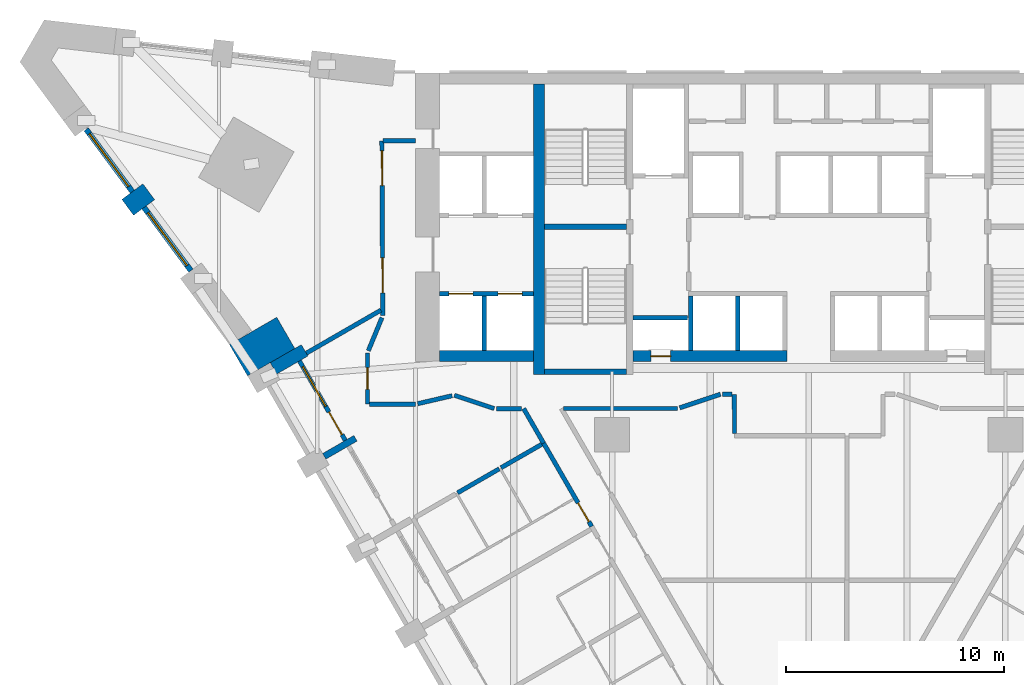
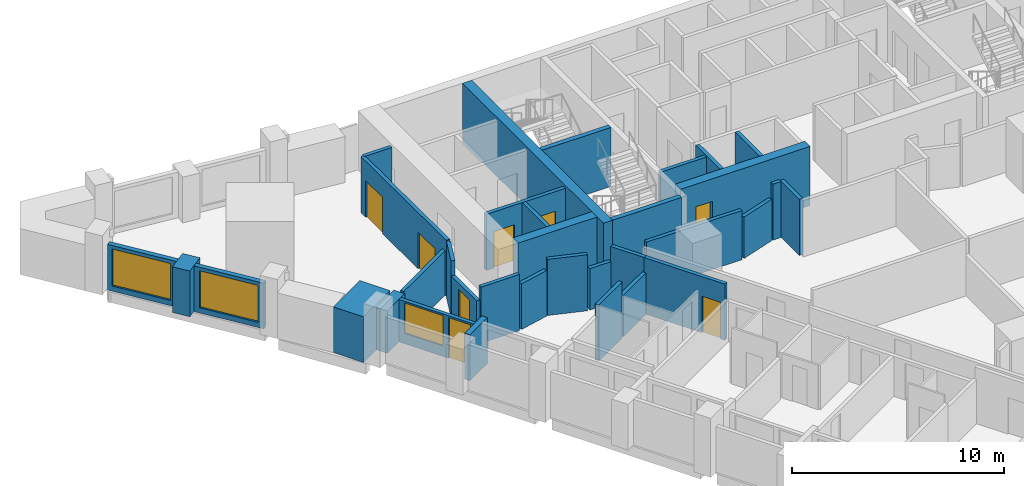
# One storey, part 6 of 11: 34 walls, 8 doors, 3 windows, 11 openings.
"""IFC4 building model written with IfcOpenShell, lengths in metres."""

from ifc_helpers import new_model, si_unit, direction, frame, frame_2d, origin, place, context, subcontext, project, spatial, polyline, rectangle, outline, extrude, material, layer, layer_set, type_object, element, fill, save


model = new_model("IFC4")

# Units and contexts
model_context = context("Model", 3, precision=1e-05, world=origin(), true_north=direction((0.0, 1.0)))
body_context = subcontext(model_context, "Body", "Model", "MODEL_VIEW")
ifc_project = project(units=[si_unit("LENGTHUNIT", "METRE"), si_unit("AREAUNIT", "SQUARE_METRE"), si_unit("VOLUMEUNIT", "CUBIC_METRE"), si_unit("PLANEANGLEUNIT", "RADIAN"), si_unit("MASSUNIT", "GRAM", prefix="KILO")], contexts=[model_context])

# Site, building, storey
site_placement = place(None, origin())
site = spatial("IfcSite", under=ifc_project, at=site_placement, CompositionType="ELEMENT")
building_placement = place(site_placement, origin())
building = spatial("IfcBuilding", under=site, at=building_placement, Name="Calabash Gate Tower", CompositionType="ELEMENT")
storey_placement = place(building_placement, frame((0.0, 0.0, 52.800048828125)))
storey = spatial("IfcBuildingStorey", under=building, at=storey_placement, Name="L08", CompositionType="ELEMENT", Elevation=52.800048828125)

# Walls
ifc_material_1 = material(Name="Terracotta brick masonry, exposed face", Category="masonry")
ifc_layer_1 = layer(ifc_material_1, 2.5)
ifc_layer_set_1 = layer_set([ifc_layer_1], Name="Brick corner mass wall 2500")
wall_type_1 = type_object("IfcWallType", Name="Brick corner mass wall 2500", PredefinedType="SOLIDWALL", material=ifc_layer_set_1)
wall_1_placement = place(storey_placement, origin())
element("IfcWall", 1, at=wall_1_placement, inside=storey, type_object=wall_type_1, Name="Brick corner pier S01 1", PredefinedType="SOLIDWALL", context=body_context, shape_type="SweptSolid", body=[
    extrude(outline(polyline([(-25.694580078125, 5.19970703125), (-24.6552734375, 5.7998046875), (-24.6552734375, 5.79931640625), (-23.529541015625, 6.44921875), (-24.3544921875, 7.878173828125), (-26.51953125, 6.628173828125), (-25.694580078125, 5.19921875), (-25.6943359375, 5.199462890625), (-25.694580078125, 5.19970703125)])), origin(), (0.0, 0.0, 1.0), 2.6298828125),
])
ifc_material_2 = material(Name="Terracotta brick masonry, exposed face", Category="masonry")
ifc_layer_2 = layer(ifc_material_2, 1.199951171875)
ifc_layer_set_2 = layer_set([ifc_layer_2], Name="Brick end wall 1200")
wall_type_2 = type_object("IfcWallType", Name="Brick end wall 1200", PredefinedType="SOLIDWALL", material=ifc_layer_set_2)
wall_2_placement = place(storey_placement, frame((-31.178466796875, 12.91015625, 0.0), z_axis=(0.0, 0.0, 1.0), x_axis=(0.803549985832, 0.595237280644, 0.0)))
element("IfcWall", 2, at=wall_2_placement, inside=storey, type_object=wall_type_2, Name="Brick pier S01 wedge7.1", PredefinedType="SOLIDWALL", context=body_context, shape_type="SweptSolid", body=[
    extrude(rectangle(XDim=1.2001953125, YDim=0.89990234375, at=frame_2d((0.60009765625, 0.0))), origin(), (0.0, 0.0, 1.0), 2.6298828125),
])
ifc_material_3 = material(Name="Terracotta brick masonry, exposed face", Category="masonry")
ifc_layer_3 = layer(ifc_material_3, 0.300048828125)
ifc_layer_set_3 = layer_set([ifc_layer_3], Name="Brick loggia cheek wall 300")
wall_type_3 = type_object("IfcWallType", Name="Brick loggia cheek wall 300", PredefinedType="SOLIDWALL", material=ifc_layer_set_3)
wall_3_placement = place(storey_placement, frame((-24.505126953125, 5.53955078125, 0.0), z_axis=(0.0, 0.0, 1.0), x_axis=(0.866003217194, 0.500038426333, 0.0)))
element("IfcWall", 3, at=wall_3_placement, inside=storey, type_object=wall_type_3, Name="Loggia cheek S01 SW0.0", PredefinedType="SOLIDWALL", context=body_context, shape_type="SweptSolid", body=[
    extrude(rectangle(XDim=1.649658203125, YDim=0.60009765625, at=frame_2d((0.82470703125, 0.0))), origin(), (0.0, 0.0, 1.0), 2.449951171875),
])
wall_4_placement = place(storey_placement, frame((-22.180419921875, 1.512451171875, 0.0), z_axis=(0.0, 0.0, 1.0), x_axis=(0.866040211805, 0.499974350878, 0.0)))
element("IfcWall", 4, at=wall_4_placement, inside=storey, type_object=wall_type_3, Name="Loggia cheek S01 SW0.1", PredefinedType="SOLIDWALL", context=body_context, shape_type="SweptSolid", body=[
    extrude(rectangle(XDim=1.64990234375, YDim=0.300048828125, at=frame_2d((0.824951171875, 0.0))), origin(), (0.0, 0.0, 1.0), 2.64990234375),
])
ifc_material_4 = material(Name="Concrete C80/95", Category="concrete")
ifc_layer_4 = layer(ifc_material_4, 0.25)
ifc_layer_set_4 = layer_set([ifc_layer_4], Name="Core wall 250 Concrete C80/95")
wall_type_4 = type_object("IfcWallType", Name="Core wall 250 Concrete C80/95", PredefinedType="SHEAR", material=ifc_layer_set_4)
for number, where, z_axis, x_axis, name in (
    (5, (-12.10009765625, 12.027587890625, 0.0), (0.0, 0.0, 1.0), (1.0, 0.0, 0.0), "Core wall Z1-MIDW L08"),
    (6, (-12.10009765625, 5.377685546875, 0.0), (0.0, 0.0, 1.0), (1.0, 0.0, 0.0), "Core wall Z1-SSW L08"),
):
    element("IfcWall", number, at=place(storey_placement, frame(where, z_axis=z_axis, x_axis=x_axis)), inside=storey, type_object=wall_type_4, Name=name, PredefinedType="SHEAR", context=body_context, shape_type="SweptSolid", body=[
        extrude(rectangle(XDim=3.75, YDim=0.25, at=frame_2d((1.875, 0.0))), origin(), (0.0, 0.0, 1.0), 3.39990234375),
    ])
ifc_material_5 = material(Name="Concrete C80/95", Category="concrete")
ifc_layer_5 = layer(ifc_material_5, 0.5)
ifc_layer_set_5 = layer_set([ifc_layer_5], Name="Core wall 500 Concrete C80/95")
wall_type_5 = type_object("IfcWallType", Name="Core wall 500 Concrete C80/95", PredefinedType="SHEAR", material=ifc_layer_set_5)
wall_5_placement = place(storey_placement, frame((-12.35009765625, 5.252685546875, 0.0), z_axis=(0.0, 0.0, 1.0), x_axis=(0.0, 1.0, 0.0)))
element("IfcWall", 7, at=wall_5_placement, inside=storey, type_object=wall_type_5, Name="Core wall Z1-COLW L08", PredefinedType="SHEAR", context=body_context, shape_type="SweptSolid", body=[
    extrude(rectangle(XDim=13.2998046875, YDim=0.5, at=frame_2d((6.64990234375, 0.0))), origin(), (0.0, 0.0, 1.0), 3.39990234375),
])

# Wall, opening, door
wall_6_placement = place(storey_placement, frame((-8.050048828125, 6.1025390625, 0.0), z_axis=(0.0, 0.0, 1.0), x_axis=(1.0, 0.0, 0.0)))
wall_6 = element("IfcWall", 8, at=wall_6_placement, inside=storey, type_object=wall_type_5, Name="Core wall Z1-SA L08", PredefinedType="SHEAR", context=body_context, shape_type="SweptSolid", body=[
    extrude(rectangle(XDim=7.050048828125, YDim=0.5, at=frame_2d((3.52490234375, 0.0))), origin(), (0.0, 0.0, 1.0), 3.39990234375),
])
opening_1_placement = place(wall_6_placement, frame((0.824951171875, 0.0, 0.0)))
opening_1 = element("IfcOpeningElement", 9, at=opening_1_placement, cuts=wall_6, Name="Opening H1-013", PredefinedType="OPENING", context=body_context, shape_type="SweptSolid", body=[
    extrude(rectangle(XDim=0.89990234375, YDim=2.10009765625, at=frame_2d((0.449951171875, 1.050048828125))), frame((0.0, 0.260009765625, 0.0), z_axis=(0.0, -1.0, 0.0), x_axis=(1.0, 0.0, 0.0)), (0.0, 0.0, 1.0), 0.52001953125),
])
ifc_material_6 = material(Name="Steel fire door set with fire-resisting glazing", Category="steel")
door_type_1 = type_object("IfcDoorType", Name="Fire door D07 900x2100 FD90", OperationType="NOTDEFINED", PredefinedType="DOOR", material=ifc_material_6)
door_1_placement = place(opening_1_placement, origin())
door_1 = element("IfcDoor", 10, at=door_1_placement, inside=storey, type_object=door_type_1, Name="Electrical Riser W door", OperationType="SINGLE_SWING_LEFT", OverallHeight=2.10009765625, OverallWidth=0.89990234375, PredefinedType="DOOR", context=body_context, shape_type="SweptSolid", body=[
    extrude(rectangle(XDim=0.89990234375, YDim=2.10009765625, at=frame_2d((0.449951171875, 1.050048828125))), frame((0.0, 0.02490234375, 0.0), z_axis=(0.0, -1.0, 0.0), x_axis=(1.0, 0.0, 0.0)), (0.0, 0.0, 1.0), 0.050048828125),
])
fill(opening_1, door_1)

# Wall
wall_7_placement = place(storey_placement, frame((-12.60009765625, 6.1025390625, 0.0), z_axis=(0.0, 0.0, 1.0), x_axis=(-1.0, 0.0, 0.0)))
element("IfcWall", 11, at=wall_7_placement, inside=storey, type_object=wall_type_5, Name="Core wall Z1-SW L08", PredefinedType="SHEAR", context=body_context, shape_type="SweptSolid", body=[
    extrude(rectangle(XDim=4.2998046875, YDim=0.5, at=frame_2d((2.14990234375, 0.0))), origin(), (0.0, 0.0, 1.0), 3.39990234375),
])

# Wall, opening, door
ifc_material_7 = material(Name="Gypsum board on steel studs, mineral wool", Category="steel")
ifc_layer_6 = layer(ifc_material_7, 0.199951171875)
ifc_layer_set_6 = layer_set([ifc_layer_6], Name="Partition 200 gypsum board EI 60")
wall_type_6 = type_object("IfcWallType", Name="Partition 200 gypsum board EI 60", PredefinedType="PARTITIONING", material=ifc_layer_set_6)
wall_8_placement = place(storey_placement, frame((-12.13720703125, 2.113037109375, 0.0), z_axis=(0.0, 0.0, 1.0), x_axis=(0.500025132165, -0.866010893236, 0.0)))
wall_8 = element("IfcWall", 12, at=wall_8_placement, inside=storey, type_object=wall_type_6, Name="Partition", PredefinedType="PARTITIONING", context=body_context, shape_type="SweptSolid", body=[
    extrude(rectangle(XDim=4.398681640625, YDim=0.199951171875, at=frame_2d((2.19921875, 0.0))), origin(), (0.0, 0.0, 1.0), 3.22998046875),
])
opening_2_placement = place(wall_8_placement, frame((3.150390625, 0.0, 0.0)))
opening_2 = element("IfcOpeningElement", 13, at=opening_2_placement, cuts=wall_8, Name="Opening 06-08-020", PredefinedType="OPENING", context=body_context, shape_type="SweptSolid", body=[
    extrude(rectangle(XDim=1.0, YDim=2.10009765625, at=frame_2d((0.5, 1.050048828125))), frame((0.0, 0.10986328125, 0.0), z_axis=(0.0, -1.0, 0.0), x_axis=(1.0, 0.0, 0.0)), (0.0, 0.0, 1.0), 0.219970703125),
])
ifc_material_8 = material(Name="Steel fire door set with fire-resisting glazing", Category="steel")
door_type_2 = type_object("IfcDoorType", Name="WD3 WC lobby door 1000x2100", OperationType="NOTDEFINED", PredefinedType="DOOR", material=ifc_material_8)
door_2_placement = place(opening_2_placement, origin())
door_2 = element("IfcDoor", 14, at=door_2_placement, inside=storey, type_object=door_type_2, Name="WC lobby door", OperationType="SINGLE_SWING_LEFT", OverallHeight=2.10009765625, OverallWidth=1.0, PredefinedType="DOOR", context=body_context, shape_type="SweptSolid", body=[
    extrude(rectangle(XDim=1.0, YDim=2.10009765625, at=frame_2d((0.5, 1.050048828125))), frame((0.0, 0.02490234375, 0.0), z_axis=(0.0, -1.0, 0.0), x_axis=(1.0, 0.0, 0.0)), (0.0, 0.0, 1.0), 0.050048828125),
])
fill(opening_2, door_2)

# Walls
wall_9_placement = place(storey_placement, frame((-16.07666015625, -0.159423828125, 0.0), z_axis=(0.0, 0.0, 1.0), x_axis=(0.866399851823, 0.499350875398, 0.0)))
element("IfcWall", 15, at=wall_9_placement, inside=storey, type_object=wall_type_6, Name="Partition", PredefinedType="PARTITIONING", context=body_context, shape_type="SweptSolid", body=[
    extrude(rectangle(XDim=2.19970703125, YDim=0.199951171875, at=frame_2d((1.099853515625, 0.0))), origin(), (0.0, 0.0, 1.0), 3.22998046875),
])
wall_10_placement = place(storey_placement, frame((-14.084716796875, 0.990478515625, 0.0), z_axis=(0.0, 0.0, 1.0), x_axis=(0.866397457795, 0.499355029139, 0.0)))
element("IfcWall", 16, at=wall_10_placement, inside=storey, type_object=wall_type_6, Name="Partition", PredefinedType="PARTITIONING", context=body_context, shape_type="SweptSolid", body=[
    extrude(rectangle(XDim=2.147705078125, YDim=0.199951171875, at=frame_2d((1.07373046875, 0.0))), origin(), (0.0, 0.0, 1.0), 2.384033203125),
])
wall_11_placement = place(storey_placement, frame((-3.402099609375, 4.3505859375, 0.0), z_axis=(0.0, 0.0, 1.0), x_axis=(0.001086217961, -0.999999410065, 0.0)))
element("IfcWall", 17, at=wall_11_placement, inside=storey, type_object=wall_type_6, Name="Partition", PredefinedType="PARTITIONING", context=body_context, shape_type="SweptSolid", body=[
    extrude(rectangle(XDim=1.798095703125, YDim=0.199951171875, at=frame_2d((0.89892578125, 0.0))), origin(), (0.0, 0.0, 1.0), 3.22998046875),
])
wall_12_placement = place(storey_placement, frame((-14.300048828125, 3.699462890625, 0.0), z_axis=(0.0, 0.0, 1.0), x_axis=(1.0, 0.0, 0.0)))
element("IfcWall", 18, at=wall_12_placement, inside=storey, type_object=wall_type_6, Name="Partition", PredefinedType="PARTITIONING", context=body_context, shape_type="SweptSolid", body=[
    extrude(rectangle(XDim=1.148681640625, YDim=0.199951171875, at=frame_2d((0.57421875, 0.0))), origin(), (0.0, 0.0, 1.0), 2.384033203125),
])
wall_13_placement = place(storey_placement, frame((-13.051513671875, 3.699462890625, 0.0), z_axis=(0.0, 0.0, 1.0), x_axis=(0.499341081767, -0.866405496324, 0.0)))
element("IfcWall", 19, at=wall_13_placement, inside=storey, type_object=wall_type_6, Name="Partition", PredefinedType="PARTITIONING", context=body_context, shape_type="SweptSolid", body=[
    extrude(rectangle(XDim=1.8291015625, YDim=0.199951171875, at=frame_2d((0.91455078125, 0.0))), origin(), (0.0, 0.0, 1.0), 3.22998046875),
])
wall_14_placement = place(storey_placement, frame((-11.21875, 3.69970703125, 0.0), z_axis=(0.0, 0.0, 1.0), x_axis=(1.0, 0.0, 0.0)))
element("IfcWall", 20, at=wall_14_placement, inside=storey, type_object=wall_type_6, Name="Partition", PredefinedType="PARTITIONING", context=body_context, shape_type="SweptSolid", body=[
    extrude(rectangle(XDim=5.21875, YDim=0.199951171875, at=frame_2d((2.609375, 0.0))), origin(), (0.0, 0.0, 1.0), 2.83154296875),
])
wall_15_placement = place(storey_placement, frame((-20.10009765625, 3.899658203125, 0.0), z_axis=(0.0, 0.0, 1.0), x_axis=(0.999999993243, -0.000116252034, 0.0)))
element("IfcWall", 21, at=wall_15_placement, inside=storey, type_object=wall_type_6, Name="Partition", PredefinedType="PARTITIONING", context=body_context, shape_type="SweptSolid", body=[
    extrude(rectangle(XDim=2.10009765625, YDim=0.199951171875, at=frame_2d((1.050048828125, 0.0))), origin(), (0.0, 0.0, 1.0), 3.22998046875),
])
wall_16_placement = place(storey_placement, frame((-17.902587890625, 3.922119140625, 0.0), z_axis=(0.0, 0.0, 1.0), x_axis=(0.974302124523, 0.225245133464, 0.0)))
element("IfcWall", 22, at=wall_16_placement, inside=storey, type_object=wall_type_6, Name="Partition", PredefinedType="PARTITIONING", context=body_context, shape_type="SweptSolid", body=[
    extrude(rectangle(XDim=1.6181640625, YDim=0.199951171875, at=frame_2d((0.80908203125, 0.0))), origin(), (0.0, 0.0, 1.0), 2.6279296875),
])
wall_17_placement = place(storey_placement, frame((-16.228515625, 4.30908203125, 0.0), z_axis=(0.0, 0.0, 1.0), x_axis=(0.948657960303, -0.316303769112, 0.0)))
element("IfcWall", 23, at=wall_17_placement, inside=storey, type_object=wall_type_6, Name="Partition", PredefinedType="PARTITIONING", context=body_context, shape_type="SweptSolid", body=[
    extrude(rectangle(XDim=1.92724609375, YDim=0.199951171875, at=frame_2d((0.963623046875, 0.0))), origin(), (0.0, 0.0, 1.0), 3.22998046875),
])
wall_18_placement = place(storey_placement, frame((-5.905029296875, 3.7314453125, 0.0), z_axis=(0.0, 0.0, 1.0), x_axis=(0.948695731075, 0.316190464499, 0.0)))
element("IfcWall", 24, at=wall_18_placement, inside=storey, type_object=wall_type_6, Name="Partition", PredefinedType="PARTITIONING", context=body_context, shape_type="SweptSolid", body=[
    extrude(rectangle(XDim=1.963623046875, YDim=0.199951171875, at=frame_2d((0.98193359375, 0.0))), origin(), (0.0, 0.0, 1.0), 2.384033203125),
])
wall_19_placement = place(storey_placement, frame((-3.9423828125, 4.35205078125, 0.0), z_axis=(0.0, 0.0, 1.0), x_axis=(0.999996159087, -0.00277160798, 0.0)))
element("IfcWall", 25, at=wall_19_placement, inside=storey, type_object=wall_type_6, Name="Partition", PredefinedType="PARTITIONING", context=body_context, shape_type="SweptSolid", body=[
    extrude(rectangle(XDim=0.4404296875, YDim=0.199951171875, at=frame_2d((0.22021484375, 0.0))), origin(), (0.0, 0.0, 1.0), 3.22998046875),
])
wall_20_placement = place(storey_placement, frame((-23.001220703125, 6.234375, 0.0), z_axis=(0.0, 0.0, 1.0), x_axis=(0.866230957978, 0.499643800562, 0.0)))
element("IfcWall", 26, at=wall_20_placement, inside=storey, type_object=wall_type_6, Name="Partition", PredefinedType="PARTITIONING", context=body_context, shape_type="SweptSolid", body=[
    extrude(rectangle(XDim=3.94140625, YDim=0.199951171875, at=frame_2d((1.970703125, 0.0))), origin(), (0.0, 0.0, 1.0), 2.5517578125),
])

# Wall, opening, door
wall_21_placement = place(storey_placement, frame((-20.200439453125, 6.252685546875, 0.0), z_axis=(0.0, 0.0, 1.0), x_axis=(0.000103755965, -0.999999994617, 0.0)))
wall_21 = element("IfcWall", 27, at=wall_21_placement, inside=storey, type_object=wall_type_6, Name="Partition", PredefinedType="PARTITIONING", context=body_context, shape_type="SweptSolid", body=[
    extrude(rectangle(XDim=2.35302734375, YDim=0.199951171875, at=frame_2d((1.176513671875, 0.0))), origin(), (0.0, 0.0, 1.0), 2.449951171875),
])
opening_3_placement = place(wall_21_placement, frame((0.67626953125, 0.0, 0.0)))
opening_3 = element("IfcOpeningElement", 28, at=opening_3_placement, cuts=wall_21, Name="Opening 06-08-026", PredefinedType="OPENING", context=body_context, shape_type="SweptSolid", body=[
    extrude(rectangle(XDim=1.0, YDim=2.10009765625, at=frame_2d((0.5, 1.050048828125))), frame((0.0, 0.10986328125, 0.0), z_axis=(0.0, -1.0, 0.0), x_axis=(1.0, 0.0, 0.0)), (0.0, 0.0, 1.0), 0.219970703125),
])
ifc_material_9 = material(Name="Steel fire door set with fire-resisting glazing", Category="steel")
door_type_3 = type_object("IfcDoorType", Name="LD2 Meeting room door 1000x2100", OperationType="NOTDEFINED", PredefinedType="DOOR", material=ifc_material_9)
door_3_placement = place(opening_3_placement, origin())
door_3 = element("IfcDoor", 29, at=door_3_placement, inside=storey, type_object=door_type_3, Name="Meeting room door", OperationType="SINGLE_SWING_LEFT", OverallHeight=2.10009765625, OverallWidth=1.0, PredefinedType="DOOR", context=body_context, shape_type="SweptSolid", body=[
    extrude(rectangle(XDim=1.0, YDim=2.10009765625, at=frame_2d((0.5, 1.050048828125))), frame((0.0, 0.02490234375, 0.0), z_axis=(0.0, -1.0, 0.0), x_axis=(1.0, 0.0, 0.0)), (0.0, 0.0, 1.0), 0.050048828125),
])
fill(opening_3, door_3)

# Wall
wall_22_placement = place(storey_placement, frame((-20.162353515625, 6.34521484375, 0.0), z_axis=(0.0, 0.0, 1.0), x_axis=(0.380749805254, 0.924678098475, 0.0)))
element("IfcWall", 30, at=wall_22_placement, inside=storey, type_object=wall_type_6, Name="Partition", PredefinedType="PARTITIONING", context=body_context, shape_type="SweptSolid", body=[
    extrude(rectangle(XDim=1.63818359375, YDim=0.199951171875, at=frame_2d((0.819091796875, 0.0))), origin(), (0.0, 0.0, 1.0), 3.22998046875),
])

# Wall, openings, doors
wall_23_placement = place(storey_placement, frame((-19.540283203125, 15.952392578125, 0.0), z_axis=(0.0, 0.0, 1.0), x_axis=(0.004974455496, -0.99998762732, 0.0)))
wall_23 = element("IfcWall", 31, at=wall_23_placement, inside=storey, type_object=wall_type_6, Name="Partition", PredefinedType="PARTITIONING", context=body_context, shape_type="SweptSolid", body=[
    extrude(rectangle(XDim=7.999755859375, YDim=0.199951171875, at=frame_2d((4.0, 0.0))), origin(), (0.0, 0.0, 1.0), 3.22998046875),
])
opening_4_placement = place(wall_23_placement, frame((5.359130859375, 0.0, 0.0)))
opening_4 = element("IfcOpeningElement", 32, at=opening_4_placement, cuts=wall_23, Name="Opening 06-08-024", PredefinedType="OPENING", context=body_context, shape_type="SweptSolid", body=[
    extrude(rectangle(XDim=1.60009765625, YDim=2.10009765625, at=frame_2d((0.800048828125, 1.050048828125))), frame((0.0, 0.10986328125, 0.0), z_axis=(0.0, -1.0, 0.0), x_axis=(1.0, 0.0, 0.0)), (0.0, 0.0, 1.0), 0.219970703125),
])
opening_5_placement = place(wall_23_placement, frame((0.4501953125, 0.0, 0.0)))
opening_5 = element("IfcOpeningElement", 33, at=opening_5_placement, cuts=wall_23, Name="Opening 06-08-025", PredefinedType="OPENING", context=body_context, shape_type="SweptSolid", body=[
    extrude(rectangle(XDim=1.60009765625, YDim=2.10009765625, at=frame_2d((0.800048828125, 1.050048828125))), frame((0.0, 0.10986328125, 0.0), z_axis=(0.0, -1.0, 0.0), x_axis=(1.0, 0.0, 0.0)), (0.0, 0.0, 1.0), 0.219970703125),
])
ifc_material_10 = material(Name="Steel fire door set with fire-resisting glazing", Category="steel")
door_type_4 = type_object("IfcDoorType", Name="LD1 Lounge double door 1600x2100", OperationType="NOTDEFINED", PredefinedType="DOOR", material=ifc_material_10)
door_4_placement = place(opening_4_placement, origin())
door_4 = element("IfcDoor", 34, at=door_4_placement, inside=storey, type_object=door_type_4, Name="Lounge double door", OperationType="DOUBLE_DOOR_SINGLE_SWING", OverallHeight=2.10009765625, OverallWidth=1.60009765625, PredefinedType="DOOR", context=body_context, shape_type="SweptSolid", body=[
    extrude(rectangle(XDim=1.60009765625, YDim=2.10009765625, at=frame_2d((0.800048828125, 1.050048828125))), frame((0.0, 0.02490234375, 0.0), z_axis=(0.0, -1.0, 0.0), x_axis=(1.0, 0.0, 0.0)), (0.0, 0.0, 1.0), 0.050048828125),
])
fill(opening_4, door_4)
door_5_placement = place(opening_5_placement, origin())
door_5 = element("IfcDoor", 35, at=door_5_placement, inside=storey, type_object=door_type_4, Name="Lounge double door", OperationType="DOUBLE_DOOR_SINGLE_SWING", OverallHeight=2.10009765625, OverallWidth=1.60009765625, PredefinedType="DOOR", context=body_context, shape_type="SweptSolid", body=[
    extrude(rectangle(XDim=1.60009765625, YDim=2.10009765625, at=frame_2d((0.800048828125, 1.050048828125))), frame((0.0, 0.02490234375, 0.0), z_axis=(0.0, -1.0, 0.0), x_axis=(1.0, 0.0, 0.0)), (0.0, 0.0, 1.0), 0.050048828125),
])
fill(opening_5, door_5)

# Wall
wall_24_placement = place(storey_placement, frame((-19.50048828125, 15.95263671875, 0.0), z_axis=(0.0, 0.0, 1.0), x_axis=(0.999999152842, 0.001301658513, 0.0)))
element("IfcWall", 36, at=wall_24_placement, inside=storey, type_object=wall_type_6, Name="Partition", PredefinedType="PARTITIONING", context=body_context, shape_type="SweptSolid", body=[
    extrude(rectangle(XDim=1.50048828125, YDim=0.199951171875, at=frame_2d((0.750244140625, 0.0))), origin(), (0.0, 0.0, 1.0), 3.22998046875),
])

# Wall, opening, window
ifc_material_11 = material(Name="Aluminium framed window wall with insulated spandrel", Category="aluminium")
ifc_layer_7 = layer(ifc_material_11, 0.25)
ifc_layer_set_7 = layer_set([ifc_layer_7], Name="Prow window wall 250")
wall_type_7 = type_object("IfcWallType", Name="Prow window wall 250", PredefinedType="ELEMENTEDWALL", material=ifc_layer_set_7)
wall_25_placement = place(storey_placement, frame((-33.077392578125, 16.481201171875, 0.0), z_axis=(0.0, 0.0, 1.0), x_axis=(0.595304805086, -0.803499962067, 0.0)))
wall_25 = element("IfcWall", 37, at=wall_25_placement, inside=storey, type_object=wall_type_7, Name="Prow window wall S01 wedge7.1", PredefinedType="ELEMENTEDWALL", context=body_context, shape_type="SweptSolid", body=[
    extrude(rectangle(XDim=3.552001953125, YDim=0.25, at=frame_2d((1.77587890625, 0.0))), origin(), (0.0, 0.0, 1.0), 2.6298828125),
])
opening_6_placement = place(wall_25_placement, frame((0.25, 0.0, 0.300048828125)))
opening_6 = element("IfcOpeningElement", 38, at=opening_6_placement, cuts=wall_25, Name="Opening WP1L-2130", PredefinedType="OPENING", context=body_context, shape_type="SweptSolid", body=[
    extrude(rectangle(XDim=3.0, YDim=2.1298828125, at=frame_2d((1.5, 1.06494140625))), frame((0.0, 0.135009765625, 0.0), z_axis=(0.0, -1.0, 0.0), x_axis=(1.0, 0.0, 0.0)), (0.0, 0.0, 1.0), 0.27001953125),
])
ifc_material_12 = material(Name="Anodised aluminium frame, bronze finish, impact-rated laminated clear glazing", Category="aluminium")
window_type_1 = type_object("IfcWindowType", Name="Window WP1L 3000x2130", PartitioningType="DOUBLE_PANEL_VERTICAL", PredefinedType="WINDOW", material=ifc_material_12)
window_1_placement = place(opening_6_placement, origin())
window_1 = element("IfcWindow", 39, at=window_1_placement, inside=storey, type_object=window_type_1, Name="Prow window WP1L S01 wedge7.1", OverallHeight=2.1298828125, OverallWidth=3.0, PartitioningType="SINGLE_PANEL", PredefinedType="WINDOW", context=body_context, shape_type="SweptSolid", body=[
    extrude(rectangle(XDim=3.0, YDim=2.1298828125, at=frame_2d((1.5, 1.06494140625))), frame((0.0, 0.030029296875, 0.0), z_axis=(0.0, -1.0, 0.0), x_axis=(1.0, 0.0, 0.0)), (0.0, 0.0, 1.0), 0.06005859375),
])
fill(opening_6, window_1)

wall_26_placement = place(storey_placement, frame((-30.428466796875, 12.905517578125, 0.0), z_axis=(0.0, 0.0, 1.0), x_axis=(0.595302153335, -0.803501926715, 0.0)))
wall_26 = element("IfcWall", 40, at=wall_26_placement, inside=storey, type_object=wall_type_7, Name="Prow window wall S01 wedge7.2", PredefinedType="ELEMENTEDWALL", context=body_context, shape_type="SweptSolid", body=[
    extrude(rectangle(XDim=3.599853515625, YDim=0.25, at=frame_2d((1.7998046875, 0.0))), origin(), (0.0, 0.0, 1.0), 2.6298828125),
])
opening_7_placement = place(wall_26_placement, frame((0.300048828125, 0.0, 0.300048828125)))
opening_7 = element("IfcOpeningElement", 41, at=opening_7_placement, cuts=wall_26, Name="Opening WP1L-2130", PredefinedType="OPENING", context=body_context, shape_type="SweptSolid", body=[
    extrude(rectangle(XDim=3.0, YDim=2.1298828125, at=frame_2d((1.5, 1.06494140625))), frame((0.0, 0.135009765625, 0.0), z_axis=(0.0, -1.0, 0.0), x_axis=(1.0, 0.0, 0.0)), (0.0, 0.0, 1.0), 0.27001953125),
])
window_2_placement = place(opening_7_placement, origin())
window_2 = element("IfcWindow", 42, at=window_2_placement, inside=storey, type_object=window_type_1, Name="Prow window WP1L S01 wedge7.2", OverallHeight=2.1298828125, OverallWidth=3.0, PartitioningType="SINGLE_PANEL", PredefinedType="WINDOW", context=body_context, shape_type="SweptSolid", body=[
    extrude(rectangle(XDim=3.0, YDim=2.1298828125, at=frame_2d((1.5, 1.06494140625))), frame((0.0, 0.030029296875, 0.0), z_axis=(0.0, -1.0, 0.0), x_axis=(1.0, 0.0, 0.0)), (0.0, 0.0, 1.0), 0.06005859375),
])
fill(opening_7, window_2)

# Walls
ifc_material_13 = material(Name="Concrete C40/50", Category="concrete")
ifc_layer_8 = layer(ifc_material_13, 0.199951171875)
ifc_layer_set_8 = layer_set([ifc_layer_8], Name="Shaft wall 200 Concrete C40/50")
wall_type_8 = type_object("IfcWallType", Name="Shaft wall 200 Concrete C40/50", PredefinedType="SOLIDWALL", material=ifc_layer_set_8)
for number, where, z_axis, x_axis, name in (
    (43, (-14.85009765625, 6.3525390625, 0.0), (0.0, 0.0, 1.0), (0.0, 1.0, 0.0), "Shaft wall"),
    (44, (-5.39990234375, 6.3525390625, 0.0), (0.0, 0.0, 1.0), (0.0, 1.0, 0.0), "Shaft wall"),
    (45, (-3.25, 6.3525390625, 0.0), (0.0, 0.0, 1.0), (0.0, 1.0, 0.0), "Shaft wall"),
    (46, (-8.050048828125, 7.8525390625, 0.0), (0.0, 0.0, 1.0), (1.0, 0.0, 0.0), "Shaft wall"),
):
    element("IfcWall", number, at=place(storey_placement, frame(where, z_axis=z_axis, x_axis=x_axis)), inside=storey, type_object=wall_type_8, Name=name, PredefinedType="SOLIDWALL", context=body_context, shape_type="SweptSolid", body=[
        extrude(rectangle(XDim=2.5, YDim=0.199951171875, at=frame_2d((1.25, 0.0))), origin(), (0.0, 0.0, 1.0), 3.22998046875),
    ])

# Wall, openings, doors
wall_27_placement = place(storey_placement, frame((-16.89990234375, 8.95263671875, 0.0), z_axis=(0.0, 0.0, 1.0), x_axis=(1.0, 0.0, 0.0)))
wall_27 = element("IfcWall", 47, at=wall_27_placement, inside=storey, type_object=wall_type_8, Name="Shaft wall", PredefinedType="SOLIDWALL", context=body_context, shape_type="SweptSolid", body=[
    extrude(rectangle(XDim=4.2998046875, YDim=0.199951171875, at=frame_2d((2.14990234375, 0.0))), origin(), (0.0, 0.0, 1.0), 3.22998046875),
])
opening_8_placement = place(wall_27_placement, frame((2.675048828125, 0.0, 0.0)))
opening_8 = element("IfcOpeningElement", 48, at=opening_8_placement, cuts=wall_27, Name="Opening LD-LR1", PredefinedType="OPENING", context=body_context, shape_type="SweptSolid", body=[
    extrude(rectangle(XDim=1.10009765625, YDim=2.10009765625, at=frame_2d((0.550048828125, 1.050048828125))), frame((0.0, 0.10986328125, 0.0), z_axis=(0.0, -1.0, 0.0), x_axis=(1.0, 0.0, 0.0)), (0.0, 0.0, 1.0), 0.219970703125),
])
opening_9_placement = place(wall_27_placement, frame((0.425048828125, 0.0, 0.0)))
opening_9 = element("IfcOpeningElement", 49, at=opening_9_placement, cuts=wall_27, Name="Opening LD-LR2", PredefinedType="OPENING", context=body_context, shape_type="SweptSolid", body=[
    extrude(rectangle(XDim=1.10009765625, YDim=2.10009765625, at=frame_2d((0.550048828125, 1.050048828125))), frame((0.0, 0.10986328125, 0.0), z_axis=(0.0, -1.0, 0.0), x_axis=(1.0, 0.0, 0.0)), (0.0, 0.0, 1.0), 0.219970703125),
])
ifc_material_14 = material(Name="Stainless steel sliding door leaves", Category="steel")
door_type_5 = type_object("IfcDoorType", Name="Lift landing door LS1 1100x2100 FD90", OperationType="DOUBLE_DOOR_SLIDING", PredefinedType="DOOR", material=ifc_material_14)
door_6_placement = place(opening_8_placement, origin())
door_6 = element("IfcDoor", 50, at=door_6_placement, inside=storey, type_object=door_type_5, Name="Lift landing door LR1", OperationType="DOUBLE_DOOR_SLIDING", OverallHeight=2.10009765625, OverallWidth=1.10009765625, PredefinedType="DOOR", context=body_context, shape_type="SweptSolid", body=[
    extrude(rectangle(XDim=1.10009765625, YDim=2.10009765625, at=frame_2d((0.550048828125, 1.050048828125))), frame((0.0, 0.02490234375, 0.0), z_axis=(0.0, -1.0, 0.0), x_axis=(1.0, 0.0, 0.0)), (0.0, 0.0, 1.0), 0.050048828125),
])
fill(opening_8, door_6)
door_7_placement = place(opening_9_placement, origin())
door_7 = element("IfcDoor", 51, at=door_7_placement, inside=storey, type_object=door_type_5, Name="Lift landing door LR2", OperationType="DOUBLE_DOOR_SLIDING", OverallHeight=2.10009765625, OverallWidth=1.10009765625, PredefinedType="DOOR", context=body_context, shape_type="SweptSolid", body=[
    extrude(rectangle(XDim=1.10009765625, YDim=2.10009765625, at=frame_2d((0.550048828125, 1.050048828125))), frame((0.0, 0.02490234375, 0.0), z_axis=(0.0, -1.0, 0.0), x_axis=(1.0, 0.0, 0.0)), (0.0, 0.0, 1.0), 0.050048828125),
])
fill(opening_9, door_7)

# Wall, openings, door, window
ifc_material_15 = material(Name="Aluminium framed window wall with insulated spandrel", Category="aluminium")
ifc_layer_9 = layer(ifc_material_15, 0.199951171875)
ifc_layer_set_9 = layer_set([ifc_layer_9], Name="Window wall 200")
wall_type_9 = type_object("IfcWallType", Name="Window wall 200", PredefinedType="ELEMENTEDWALL", material=ifc_layer_set_9)
wall_28_placement = place(storey_placement, frame((-23.316162109375, 5.879638671875, 0.0), z_axis=(0.0, 0.0, 1.0), x_axis=(0.500027713859, -0.866009402589, 0.0)))
wall_28 = element("IfcWall", 52, at=wall_28_placement, inside=storey, type_object=wall_type_9, Name="Window wall S01 SW0.1", PredefinedType="ELEMENTEDWALL", context=body_context, shape_type="SweptSolid", body=[
    extrude(rectangle(XDim=4.199951171875, YDim=0.199951171875, at=frame_2d((2.10009765625, 0.0))), origin(), (0.0, 0.0, 1.0), 2.449951171875),
])
opening_10_placement = place(wall_28_placement, frame((0.300048828125, 0.0, 0.60009765625)))
opening_10 = element("IfcOpeningElement", 53, at=opening_10_placement, cuts=wall_28, Name="Opening HW1L-1750", PredefinedType="OPENING", context=body_context, shape_type="SweptSolid", body=[
    extrude(rectangle(XDim=2.10009765625, YDim=1.75, at=frame_2d((1.050048828125, 0.875))), frame((0.0, 0.10986328125, 0.0), z_axis=(0.0, -1.0, 0.0), x_axis=(1.0, 0.0, 0.0)), (0.0, 0.0, 1.0), 0.219970703125),
])
opening_11_placement = place(wall_28_placement, frame((2.699951171875, 0.0, 0.0)))
opening_11 = element("IfcOpeningElement", 54, at=opening_11_placement, cuts=wall_28, Name="Opening H1-025", PredefinedType="OPENING", context=body_context, shape_type="SweptSolid", body=[
    extrude(rectangle(XDim=1.199951171875, YDim=2.35009765625, at=frame_2d((0.60009765625, 1.175048828125))), frame((0.0, 0.10986328125, 0.0), z_axis=(0.0, -1.0, 0.0), x_axis=(1.0, 0.0, 0.0)), (0.0, 0.0, 1.0), 0.219970703125),
])
ifc_material_16 = material(Name="Anodised aluminium frame, bronze finish, impact-rated laminated clear glazing", Category="aluminium")
door_type_6 = type_object("IfcDoorType", Name="Loggia door DH1L-2350 1200x2350", OperationType="SLIDING_TO_LEFT", PredefinedType="DOOR", material=ifc_material_16)
door_8_placement = place(opening_11_placement, origin())
door_8 = element("IfcDoor", 55, at=door_8_placement, inside=storey, type_object=door_type_6, Name="Loggia door S01 SW0.1", OperationType="SINGLE_SWING_LEFT", OverallHeight=2.35009765625, OverallWidth=1.199951171875, PredefinedType="DOOR", context=body_context, shape_type="SweptSolid", body=[
    extrude(rectangle(XDim=1.199951171875, YDim=2.35009765625, at=frame_2d((0.60009765625, 1.175048828125))), frame((0.0, 0.02490234375, 0.0), z_axis=(0.0, -1.0, 0.0), x_axis=(1.0, 0.0, 0.0)), (0.0, 0.0, 1.0), 0.050048828125),
])
fill(opening_11, door_8)
ifc_material_17 = material(Name="Anodised aluminium frame, bronze finish, impact-rated laminated clear glazing", Category="aluminium")
window_type_2 = type_object("IfcWindowType", Name="Window HW1L 2100x1750", PartitioningType="DOUBLE_PANEL_VERTICAL", PredefinedType="WINDOW", material=ifc_material_17)
window_3_placement = place(opening_10_placement, origin())
window_3 = element("IfcWindow", 56, at=window_3_placement, inside=storey, type_object=window_type_2, Name="Window HW1 S01 SW0.1", OverallHeight=1.75, OverallWidth=2.10009765625, PartitioningType="SINGLE_PANEL", PredefinedType="WINDOW", context=body_context, shape_type="SweptSolid", body=[
    extrude(rectangle(XDim=2.10009765625, YDim=1.75, at=frame_2d((1.050048828125, 0.875))), frame((0.0, 0.030029296875, 0.0), z_axis=(0.0, -1.0, 0.0), x_axis=(1.0, 0.0, 0.0)), (0.0, 0.0, 1.0), 0.06005859375),
])
fill(opening_10, window_3)

save(model, "model.ifc")
